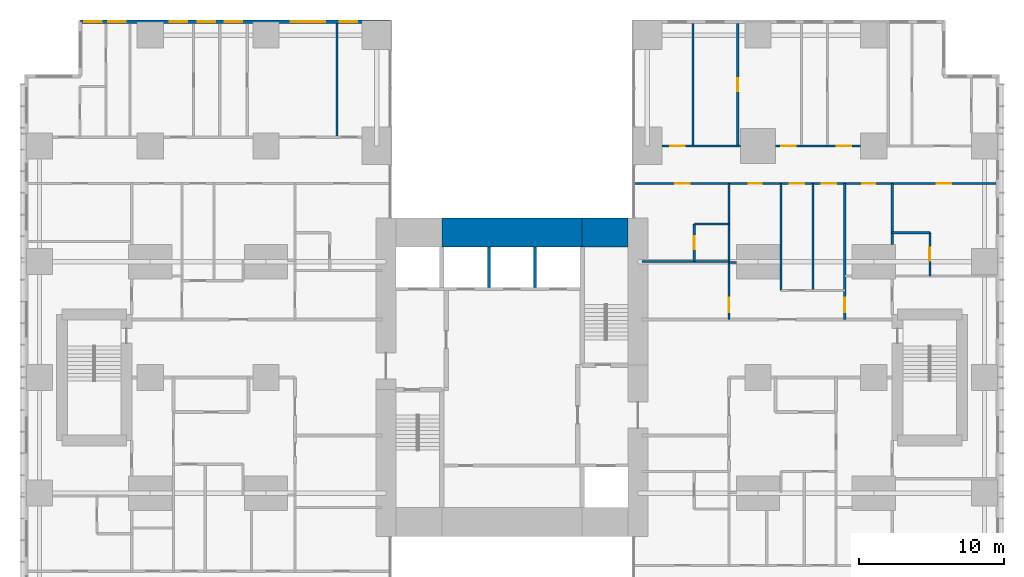
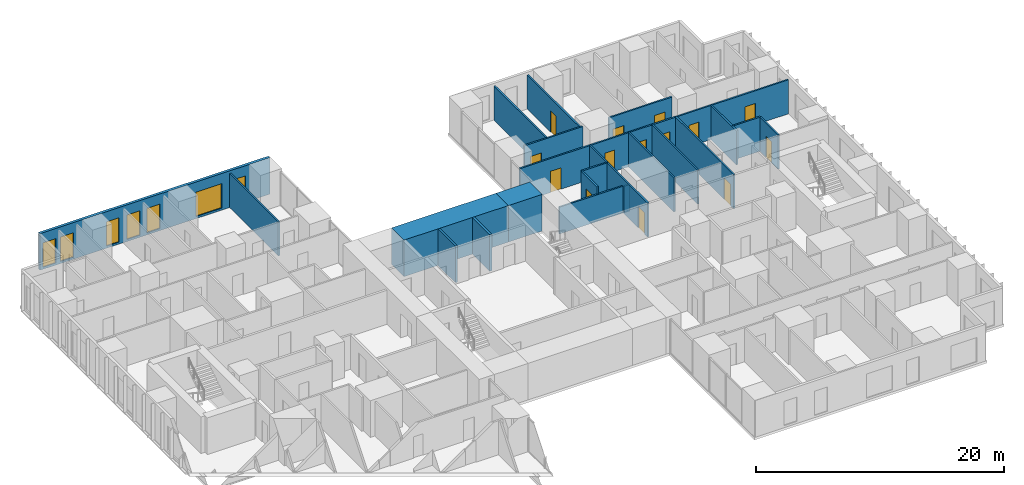
# One storey, part 17 of 20: 22 walls, 14 doors, 7 windows, 21 openings.
"""IFC4 building model written with IfcOpenShell, lengths in metres."""

from ifc_helpers import new_model, si_unit, direction, frame, frame_2d, origin, place, context, subcontext, project, spatial, rectangle, extrude, material, layer, layer_set, type_object, element, fill, save


model = new_model("IFC4")

# Units and contexts
model_context = context("Model", 3, precision=1e-05, world=origin(), true_north=direction((0.0, 1.0)))
body_context = subcontext(model_context, "Body", "Model", "MODEL_VIEW")
ifc_project = project(units=[si_unit("LENGTHUNIT", "METRE"), si_unit("AREAUNIT", "SQUARE_METRE"), si_unit("VOLUMEUNIT", "CUBIC_METRE"), si_unit("PLANEANGLEUNIT", "RADIAN"), si_unit("MASSUNIT", "GRAM", prefix="KILO")], contexts=[model_context])

# Site, building, storey
site_placement = place(None, origin())
site = spatial("IfcSite", under=ifc_project, at=site_placement, CompositionType="ELEMENT")
building_placement = place(site_placement, origin())
building = spatial("IfcBuilding", under=site, at=building_placement, Name="Cleftline Residences", CompositionType="ELEMENT")
storey_placement = place(building_placement, frame((0.0, 0.0, 211.0)))
storey = spatial("IfcBuildingStorey", under=building, at=storey_placement, Name="L55", CompositionType="ELEMENT", Elevation=211.0)

# Walls
ifc_material_1 = material(Name="Concrete B70", Category="concrete")
ifc_layer_1 = layer(ifc_material_1, 2.0)
ifc_layer_set_1 = layer_set([ifc_layer_1], Name="CORE WALL 2000")
wall_type_1 = type_object("IfcWallType", Name="CORE WALL 2000", PredefinedType="SHEAR", material=ifc_layer_set_1)
wall_1_placement = place(storey_placement, frame((28.14990234375, 34.0, 0.0), z_axis=(0.0, 0.0, 1.0), x_axis=(1.0, 0.0, 0.0)))
element("IfcWall", 1, at=wall_1_placement, inside=storey, type_object=wall_type_1, Name="Core wall N2", PredefinedType="SHEAR", context=body_context, shape_type="SweptSolid", body=[
    extrude(rectangle(XDim=9.7001953125, YDim=2.0, at=frame_2d((4.85009765625, 0.0))), origin(), (0.0, 0.0, 1.0), 3.60009765625),
])
wall_2_placement = place(storey_placement, frame((37.85009765625, 34.0, 0.0), z_axis=(0.0, 0.0, 1.0), x_axis=(1.0, 0.0, 0.0)))
element("IfcWall", 2, at=wall_2_placement, inside=storey, type_object=wall_type_1, Name="Core wall N3", PredefinedType="SHEAR", context=body_context, shape_type="SweptSolid", body=[
    extrude(rectangle(XDim=3.14990234375, YDim=2.0, at=frame_2d((1.574951171875, 0.0))), origin(), (0.0, 0.0, 1.0), 3.60009765625),
])

# Wall, openings, windows
ifc_material_2 = material(Name="Rendered reinforced concrete blockwork", Category="masonry")
ifc_layer_2 = layer(ifc_material_2, 0.25)
ifc_layer_set_2 = layer_set([ifc_layer_2], Name="EXTERNAL WALL 250")
wall_type_2 = type_object("IfcWallType", Name="EXTERNAL WALL 250", PredefinedType="SOLIDWALL", material=ifc_layer_set_2)
wall_3_placement = place(storey_placement, frame((24.574951171875, 48.574951171875, 0.0), z_axis=(0.0, 0.0, 1.0), x_axis=(-1.0, 0.0, 0.0)))
wall_3 = element("IfcWall", 3, at=wall_3_placement, inside=storey, type_object=wall_type_2, Name="External wall", PredefinedType="SOLIDWALL", context=body_context, shape_type="SweptSolid", body=[
    extrude(rectangle(XDim=21.39990234375, YDim=0.25, at=frame_2d((10.699951171875, 0.0))), origin(), (0.0, 0.0, 1.0), 3.60009765625),
])
opening_1_placement = place(wall_3_placement, frame((2.27490234375, 0.0, 0.199951171875)))
opening_1 = element("IfcOpeningElement", 4, at=opening_1_placement, cuts=wall_3, Name="Opening W13", PredefinedType="OPENING", context=body_context, shape_type="SweptSolid", body=[
    extrude(rectangle(XDim=1.199951171875, YDim=2.39990234375, at=frame_2d((0.60009765625, 1.199951171875))), frame((0.0, 0.135009765625, 0.0), z_axis=(0.0, -1.0, 0.0), x_axis=(1.0, 0.0, 0.0)), (0.0, 0.0, 1.0), 0.27001953125),
])
opening_2_placement = place(wall_3_placement, frame((4.47509765625, 0.0, 0.199951171875)))
opening_2 = element("IfcOpeningElement", 5, at=opening_2_placement, cuts=wall_3, Name="Opening W9", PredefinedType="OPENING", context=body_context, shape_type="SweptSolid", body=[
    extrude(rectangle(XDim=2.39990234375, YDim=2.39990234375, at=frame_2d((1.199951171875, 1.199951171875))), frame((0.0, 0.135009765625, 0.0), z_axis=(0.0, -1.0, 0.0), x_axis=(1.0, 0.0, 0.0)), (0.0, 0.0, 1.0), 0.27001953125),
])
opening_3_placement = place(wall_3_placement, frame((10.22509765625, 0.0, 0.199951171875)))
opening_3 = element("IfcOpeningElement", 6, at=opening_3_placement, cuts=wall_3, Name="Opening W13", PredefinedType="OPENING", context=body_context, shape_type="SweptSolid", body=[
    extrude(rectangle(XDim=1.199951171875, YDim=2.39990234375, at=frame_2d((0.60009765625, 1.199951171875))), frame((0.0, 0.135009765625, 0.0), z_axis=(0.0, -1.0, 0.0), x_axis=(1.0, 0.0, 0.0)), (0.0, 0.0, 1.0), 0.27001953125),
])
opening_4_placement = place(wall_3_placement, frame((12.074951171875, 0.0, 0.199951171875)))
opening_4 = element("IfcOpeningElement", 7, at=opening_4_placement, cuts=wall_3, Name="Opening W13", PredefinedType="OPENING", context=body_context, shape_type="SweptSolid", body=[
    extrude(rectangle(XDim=1.199951171875, YDim=2.39990234375, at=frame_2d((0.60009765625, 1.199951171875))), frame((0.0, 0.135009765625, 0.0), z_axis=(0.0, -1.0, 0.0), x_axis=(1.0, 0.0, 0.0)), (0.0, 0.0, 1.0), 0.27001953125),
])
opening_5_placement = place(wall_3_placement, frame((14.02490234375, 0.0, 0.199951171875)))
opening_5 = element("IfcOpeningElement", 8, at=opening_5_placement, cuts=wall_3, Name="Opening W13", PredefinedType="OPENING", context=body_context, shape_type="SweptSolid", body=[
    extrude(rectangle(XDim=1.199951171875, YDim=2.39990234375, at=frame_2d((0.60009765625, 1.199951171875))), frame((0.0, 0.135009765625, 0.0), z_axis=(0.0, -1.0, 0.0), x_axis=(1.0, 0.0, 0.0)), (0.0, 0.0, 1.0), 0.27001953125),
])
opening_6_placement = place(wall_3_placement, frame((18.27490234375, 0.0, 0.199951171875)))
opening_6 = element("IfcOpeningElement", 9, at=opening_6_placement, cuts=wall_3, Name="Opening W13", PredefinedType="OPENING", context=body_context, shape_type="SweptSolid", body=[
    extrude(rectangle(XDim=1.199951171875, YDim=2.39990234375, at=frame_2d((0.60009765625, 1.199951171875))), frame((0.0, 0.135009765625, 0.0), z_axis=(0.0, -1.0, 0.0), x_axis=(1.0, 0.0, 0.0)), (0.0, 0.0, 1.0), 0.27001953125),
])
opening_7_placement = place(wall_3_placement, frame((19.925048828125, 0.0, 0.199951171875)))
opening_7 = element("IfcOpeningElement", 10, at=opening_7_placement, cuts=wall_3, Name="Opening W13", PredefinedType="OPENING", context=body_context, shape_type="SweptSolid", body=[
    extrude(rectangle(XDim=1.199951171875, YDim=2.39990234375, at=frame_2d((0.60009765625, 1.199951171875))), frame((0.0, 0.135009765625, 0.0), z_axis=(0.0, -1.0, 0.0), x_axis=(1.0, 0.0, 0.0)), (0.0, 0.0, 1.0), 0.27001953125),
])
ifc_material_3 = material(Name="Aluminium frame, clear double glazing", Category="aluminium")
window_type_1 = type_object("IfcWindowType", Name="WINDOW 1200X2400", PartitioningType="DOUBLE_PANEL_VERTICAL", PredefinedType="WINDOW", material=ifc_material_3)
window_1_placement = place(opening_1_placement, origin())
window_1 = element("IfcWindow", 11, at=window_1_placement, inside=storey, type_object=window_type_1, Name="Window", OverallHeight=2.39990234375, OverallWidth=1.199951171875, PartitioningType="SINGLE_PANEL", PredefinedType="WINDOW", context=body_context, shape_type="SweptSolid", body=[
    extrude(rectangle(XDim=1.199951171875, YDim=2.39990234375, at=frame_2d((0.60009765625, 1.199951171875))), frame((0.0, 0.030029296875, 0.0), z_axis=(0.0, -1.0, 0.0), x_axis=(1.0, 0.0, 0.0)), (0.0, 0.0, 1.0), 0.06005859375),
])
fill(opening_1, window_1)
window_2_placement = place(opening_3_placement, origin())
window_2 = element("IfcWindow", 12, at=window_2_placement, inside=storey, type_object=window_type_1, Name="Window", OverallHeight=2.39990234375, OverallWidth=1.199951171875, PartitioningType="SINGLE_PANEL", PredefinedType="WINDOW", context=body_context, shape_type="SweptSolid", body=[
    extrude(rectangle(XDim=1.199951171875, YDim=2.39990234375, at=frame_2d((0.60009765625, 1.199951171875))), frame((0.0, 0.030029296875, 0.0), z_axis=(0.0, -1.0, 0.0), x_axis=(1.0, 0.0, 0.0)), (0.0, 0.0, 1.0), 0.06005859375),
])
fill(opening_3, window_2)
window_3_placement = place(opening_4_placement, origin())
window_3 = element("IfcWindow", 13, at=window_3_placement, inside=storey, type_object=window_type_1, Name="Window", OverallHeight=2.39990234375, OverallWidth=1.199951171875, PartitioningType="SINGLE_PANEL", PredefinedType="WINDOW", context=body_context, shape_type="SweptSolid", body=[
    extrude(rectangle(XDim=1.199951171875, YDim=2.39990234375, at=frame_2d((0.60009765625, 1.199951171875))), frame((0.0, 0.030029296875, 0.0), z_axis=(0.0, -1.0, 0.0), x_axis=(1.0, 0.0, 0.0)), (0.0, 0.0, 1.0), 0.06005859375),
])
fill(opening_4, window_3)
window_4_placement = place(opening_5_placement, origin())
window_4 = element("IfcWindow", 14, at=window_4_placement, inside=storey, type_object=window_type_1, Name="Window", OverallHeight=2.39990234375, OverallWidth=1.199951171875, PartitioningType="SINGLE_PANEL", PredefinedType="WINDOW", context=body_context, shape_type="SweptSolid", body=[
    extrude(rectangle(XDim=1.199951171875, YDim=2.39990234375, at=frame_2d((0.60009765625, 1.199951171875))), frame((0.0, 0.030029296875, 0.0), z_axis=(0.0, -1.0, 0.0), x_axis=(1.0, 0.0, 0.0)), (0.0, 0.0, 1.0), 0.06005859375),
])
fill(opening_5, window_4)
window_5_placement = place(opening_6_placement, origin())
window_5 = element("IfcWindow", 15, at=window_5_placement, inside=storey, type_object=window_type_1, Name="Window", OverallHeight=2.39990234375, OverallWidth=1.199951171875, PartitioningType="SINGLE_PANEL", PredefinedType="WINDOW", context=body_context, shape_type="SweptSolid", body=[
    extrude(rectangle(XDim=1.199951171875, YDim=2.39990234375, at=frame_2d((0.60009765625, 1.199951171875))), frame((0.0, 0.030029296875, 0.0), z_axis=(0.0, -1.0, 0.0), x_axis=(1.0, 0.0, 0.0)), (0.0, 0.0, 1.0), 0.06005859375),
])
fill(opening_6, window_5)
window_6_placement = place(opening_7_placement, origin())
window_6 = element("IfcWindow", 16, at=window_6_placement, inside=storey, type_object=window_type_1, Name="Window", OverallHeight=2.39990234375, OverallWidth=1.199951171875, PartitioningType="SINGLE_PANEL", PredefinedType="WINDOW", context=body_context, shape_type="SweptSolid", body=[
    extrude(rectangle(XDim=1.199951171875, YDim=2.39990234375, at=frame_2d((0.60009765625, 1.199951171875))), frame((0.0, 0.030029296875, 0.0), z_axis=(0.0, -1.0, 0.0), x_axis=(1.0, 0.0, 0.0)), (0.0, 0.0, 1.0), 0.06005859375),
])
fill(opening_7, window_6)
ifc_material_4 = material(Name="Aluminium frame, clear double glazing", Category="aluminium")
window_type_2 = type_object("IfcWindowType", Name="WINDOW 2400X2400", PartitioningType="DOUBLE_PANEL_VERTICAL", PredefinedType="WINDOW", material=ifc_material_4)
window_7_placement = place(opening_2_placement, origin())
window_7 = element("IfcWindow", 17, at=window_7_placement, inside=storey, type_object=window_type_2, Name="Window", OverallHeight=2.39990234375, OverallWidth=2.39990234375, PartitioningType="SINGLE_PANEL", PredefinedType="WINDOW", context=body_context, shape_type="SweptSolid", body=[
    extrude(rectangle(XDim=2.39990234375, YDim=2.39990234375, at=frame_2d((1.199951171875, 1.199951171875))), frame((0.0, 0.030029296875, 0.0), z_axis=(0.0, -1.0, 0.0), x_axis=(1.0, 0.0, 0.0)), (0.0, 0.0, 1.0), 0.06005859375),
])
fill(opening_2, window_7)

# Walls
ifc_material_5 = material(Name="Gypsum board on steel studs", Category="steel")
ifc_layer_3 = layer(ifc_material_5, 0.14990234375)
ifc_layer_set_3 = layer_set([ifc_layer_3], Name="PARTITION 150")
wall_type_3 = type_object("IfcWallType", Name="PARTITION 150", PredefinedType="PARTITIONING", material=ifc_layer_set_3)
wall_4_placement = place(storey_placement, frame((48.0, 31.949951171875, 0.0), z_axis=(0.0, 0.0, 1.0), x_axis=(1.0, 0.0, 0.0)))
element("IfcWall", 18, at=wall_4_placement, inside=storey, type_object=wall_type_3, Name="Partition", PredefinedType="PARTITIONING", context=body_context, shape_type="SweptSolid", body=[
    extrude(rectangle(XDim=0.5, YDim=0.14990234375, at=frame_2d((0.25, 0.0))), origin(), (0.0, 0.0, 1.0), 2.634033203125),
])
wall_5_placement = place(storey_placement, frame((42.0, 32.0, 0.0), z_axis=(0.0, 0.0, 1.0), x_axis=(1.0, 0.0, 0.0)))
element("IfcWall", 19, at=wall_5_placement, inside=storey, type_object=wall_type_3, Name="Partition", PredefinedType="PARTITIONING", context=body_context, shape_type="SweptSolid", body=[
    extrude(rectangle(XDim=6.0, YDim=0.14990234375, at=frame_2d((3.0, 0.0))), origin(), (0.0, 0.0, 1.0), 2.634033203125),
])
wall_6_placement = place(storey_placement, frame((59.27490234375, 34.0, 0.0), z_axis=(0.0, 0.0, 1.0), x_axis=(1.0, 0.0, 0.0)))
element("IfcWall", 20, at=wall_6_placement, inside=storey, type_object=wall_type_3, Name="Partition", PredefinedType="PARTITIONING", context=body_context, shape_type="SweptSolid", body=[
    extrude(rectangle(XDim=2.60009765625, YDim=0.14990234375, at=frame_2d((1.300048828125, 0.0))), origin(), (0.0, 0.0, 1.0), 3.35009765625),
])
wall_7_placement = place(storey_placement, frame((45.60009765625, 34.60009765625, 0.0), z_axis=(0.0, 0.0, 1.0), x_axis=(1.0, 0.0, 0.0)))
element("IfcWall", 21, at=wall_7_placement, inside=storey, type_object=wall_type_3, Name="Partition", PredefinedType="PARTITIONING", context=body_context, shape_type="SweptSolid", body=[
    extrude(rectangle(XDim=2.39990234375, YDim=0.14990234375, at=frame_2d((1.199951171875, 0.0))), origin(), (0.0, 0.0, 1.0), 3.35009765625),
])

# Wall, openings, doors
wall_8_placement = place(storey_placement, frame((41.43896484375, 37.39990234375, 0.0), z_axis=(0.0, 0.0, 1.0), x_axis=(1.0, 0.0, 0.0)))
wall_8 = element("IfcWall", 22, at=wall_8_placement, inside=storey, type_object=wall_type_3, Name="Partition", PredefinedType="PARTITIONING", context=body_context, shape_type="SweptSolid", body=[
    extrude(rectangle(XDim=25.010986328125, YDim=0.14990234375, at=frame_2d((12.50537109375, 0.0))), origin(), (0.0, 0.0, 1.0), 3.35009765625),
])
opening_8_placement = place(wall_8_placement, frame((10.760986328125, 0.0, 0.0)))
opening_8 = element("IfcOpeningElement", 23, at=opening_8_placement, cuts=wall_8, Name="Opening D2", PredefinedType="OPENING", context=body_context, shape_type="SweptSolid", body=[
    extrude(rectangle(XDim=1.0, YDim=2.10009765625, at=frame_2d((0.5, 1.050048828125))), frame((0.0, 0.0849609375, 0.0), z_axis=(0.0, -1.0, 0.0), x_axis=(1.0, 0.0, 0.0)), (0.0, 0.0, 1.0), 0.169921875),
])
opening_9_placement = place(wall_8_placement, frame((20.923583984375, 0.0, 0.0)))
opening_9 = element("IfcOpeningElement", 24, at=opening_9_placement, cuts=wall_8, Name="Opening D2", PredefinedType="OPENING", context=body_context, shape_type="SweptSolid", body=[
    extrude(rectangle(XDim=1.0, YDim=2.10009765625, at=frame_2d((0.5, 1.050048828125))), frame((0.0, 0.0849609375, 0.0), z_axis=(0.0, -1.0, 0.0), x_axis=(1.0, 0.0, 0.0)), (0.0, 0.0, 1.0), 0.169921875),
])
opening_10_placement = place(wall_8_placement, frame((15.74853515625, 0.0, 0.0)))
opening_10 = element("IfcOpeningElement", 25, at=opening_10_placement, cuts=wall_8, Name="Opening D1", PredefinedType="OPENING", context=body_context, shape_type="SweptSolid", body=[
    extrude(rectangle(XDim=0.89990234375, YDim=2.10009765625, at=frame_2d((0.449951171875, 1.050048828125))), frame((0.0, 0.0849609375, 0.0), z_axis=(0.0, -1.0, 0.0), x_axis=(1.0, 0.0, 0.0)), (0.0, 0.0, 1.0), 0.169921875),
])
opening_11_placement = place(wall_8_placement, frame((12.9609375, 0.0, 0.0)))
opening_11 = element("IfcOpeningElement", 26, at=opening_11_placement, cuts=wall_8, Name="Opening D2", PredefinedType="OPENING", context=body_context, shape_type="SweptSolid", body=[
    extrude(rectangle(XDim=1.0, YDim=2.10009765625, at=frame_2d((0.5, 1.050048828125))), frame((0.0, 0.0849609375, 0.0), z_axis=(0.0, -1.0, 0.0), x_axis=(1.0, 0.0, 0.0)), (0.0, 0.0, 1.0), 0.169921875),
])
opening_12_placement = place(wall_8_placement, frame((7.910888671875, 0.0, 0.0)))
opening_12 = element("IfcOpeningElement", 27, at=opening_12_placement, cuts=wall_8, Name="Opening D1", PredefinedType="OPENING", context=body_context, shape_type="SweptSolid", body=[
    extrude(rectangle(XDim=0.89990234375, YDim=2.10009765625, at=frame_2d((0.449951171875, 1.050048828125))), frame((0.0, 0.0849609375, 0.0), z_axis=(0.0, -1.0, 0.0), x_axis=(1.0, 0.0, 0.0)), (0.0, 0.0, 1.0), 0.169921875),
])
opening_13_placement = place(wall_8_placement, frame((2.8359375, 0.0, 0.0)))
opening_13 = element("IfcOpeningElement", 28, at=opening_13_placement, cuts=wall_8, Name="Opening D2", PredefinedType="OPENING", context=body_context, shape_type="SweptSolid", body=[
    extrude(rectangle(XDim=1.0, YDim=2.10009765625, at=frame_2d((0.5, 1.050048828125))), frame((0.0, 0.0849609375, 0.0), z_axis=(0.0, -1.0, 0.0), x_axis=(1.0, 0.0, 0.0)), (0.0, 0.0, 1.0), 0.169921875),
])
ifc_material_6 = material(Name="Timber veneer on solid core", Category="wood")
door_type_1 = type_object("IfcDoorType", Name="DOOR 1000X2100", OperationType="SINGLE_SWING_LEFT", PredefinedType="DOOR", material=ifc_material_6)
door_1_placement = place(opening_8_placement, origin())
door_1 = element("IfcDoor", 29, at=door_1_placement, inside=storey, type_object=door_type_1, Name="Door to residence hall", OperationType="SINGLE_SWING_RIGHT", OverallHeight=2.10009765625, OverallWidth=1.0, PredefinedType="DOOR", context=body_context, shape_type="SweptSolid", body=[
    extrude(rectangle(XDim=1.0, YDim=2.10009765625, at=frame_2d((0.5, 1.050048828125))), frame((0.0, 0.02490234375, 0.0), z_axis=(0.0, -1.0, 0.0), x_axis=(1.0, 0.0, 0.0)), (0.0, 0.0, 1.0), 0.050048828125),
])
fill(opening_8, door_1)
door_2_placement = place(opening_9_placement, origin())
door_2 = element("IfcDoor", 30, at=door_2_placement, inside=storey, type_object=door_type_1, Name="Door to master bedroom", OperationType="SINGLE_SWING_LEFT", OverallHeight=2.10009765625, OverallWidth=1.0, PredefinedType="DOOR", context=body_context, shape_type="SweptSolid", body=[
    extrude(rectangle(XDim=1.0, YDim=2.10009765625, at=frame_2d((0.5, 1.050048828125))), frame((0.0, 0.02490234375, 0.0), z_axis=(0.0, -1.0, 0.0), x_axis=(1.0, 0.0, 0.0)), (0.0, 0.0, 1.0), 0.050048828125),
])
fill(opening_9, door_2)
door_3_placement = place(opening_11_placement, origin())
door_3 = element("IfcDoor", 31, at=door_3_placement, inside=storey, type_object=door_type_1, Name="Door to media room", OperationType="SINGLE_SWING_LEFT", OverallHeight=2.10009765625, OverallWidth=1.0, PredefinedType="DOOR", context=body_context, shape_type="SweptSolid", body=[
    extrude(rectangle(XDim=1.0, YDim=2.10009765625, at=frame_2d((0.5, 1.050048828125))), frame((0.0, 0.02490234375, 0.0), z_axis=(0.0, -1.0, 0.0), x_axis=(1.0, 0.0, 0.0)), (0.0, 0.0, 1.0), 0.050048828125),
])
fill(opening_11, door_3)
door_4_placement = place(opening_13_placement, origin())
door_4 = element("IfcDoor", 32, at=door_4_placement, inside=storey, type_object=door_type_1, Name="Door to bedroom 5", OperationType="SINGLE_SWING_RIGHT", OverallHeight=2.10009765625, OverallWidth=1.0, PredefinedType="DOOR", context=body_context, shape_type="SweptSolid", body=[
    extrude(rectangle(XDim=1.0, YDim=2.10009765625, at=frame_2d((0.5, 1.050048828125))), frame((0.0, 0.02490234375, 0.0), z_axis=(0.0, -1.0, 0.0), x_axis=(1.0, 0.0, 0.0)), (0.0, 0.0, 1.0), 0.050048828125),
])
fill(opening_13, door_4)
ifc_material_7 = material(Name="Timber veneer on solid core", Category="wood")
door_type_2 = type_object("IfcDoorType", Name="DOOR 900X2100", OperationType="SINGLE_SWING_LEFT", PredefinedType="DOOR", material=ifc_material_7)
door_5_placement = place(opening_10_placement, origin())
door_5 = element("IfcDoor", 33, at=door_5_placement, inside=storey, type_object=door_type_2, Name="Door to bedroom 2 bathroom", OperationType="SINGLE_SWING_LEFT", OverallHeight=2.10009765625, OverallWidth=0.89990234375, PredefinedType="DOOR", context=body_context, shape_type="SweptSolid", body=[
    extrude(rectangle(XDim=0.89990234375, YDim=2.10009765625, at=frame_2d((0.449951171875, 1.050048828125))), frame((0.0, 0.02490234375, 0.0), z_axis=(0.0, -1.0, 0.0), x_axis=(1.0, 0.0, 0.0)), (0.0, 0.0, 1.0), 0.050048828125),
])
fill(opening_10, door_5)
door_6_placement = place(opening_12_placement, origin())
door_6 = element("IfcDoor", 34, at=door_6_placement, inside=storey, type_object=door_type_2, Name="Door to linen store", OperationType="SINGLE_SWING_RIGHT", OverallHeight=2.10009765625, OverallWidth=0.89990234375, PredefinedType="DOOR", context=body_context, shape_type="SweptSolid", body=[
    extrude(rectangle(XDim=0.89990234375, YDim=2.10009765625, at=frame_2d((0.449951171875, 1.050048828125))), frame((0.0, 0.02490234375, 0.0), z_axis=(0.0, -1.0, 0.0), x_axis=(1.0, 0.0, 0.0)), (0.0, 0.0, 1.0), 0.050048828125),
])
fill(opening_12, door_6)

# Wall, opening, door
wall_9_placement = place(storey_placement, frame((43.35009765625, 40.0, 0.0), z_axis=(0.0, 0.0, 1.0), x_axis=(1.0, 0.0, 0.0)))
wall_9 = element("IfcWall", 35, at=wall_9_placement, inside=storey, type_object=wall_type_3, Name="Partition", PredefinedType="PARTITIONING", context=body_context, shape_type="SweptSolid", body=[
    extrude(rectangle(XDim=5.449951171875, YDim=0.14990234375, at=frame_2d((2.72509765625, 0.0))), origin(), (0.0, 0.0, 1.0), 3.35009765625),
])
opening_14_placement = place(wall_9_placement, frame((0.574951171875, 0.0, 0.0)))
opening_14 = element("IfcOpeningElement", 36, at=opening_14_placement, cuts=wall_9, Name="Opening D2", PredefinedType="OPENING", context=body_context, shape_type="SweptSolid", body=[
    extrude(rectangle(XDim=1.0, YDim=2.10009765625, at=frame_2d((0.5, 1.050048828125))), frame((0.0, 0.0849609375, 0.0), z_axis=(0.0, -1.0, 0.0), x_axis=(1.0, 0.0, 0.0)), (0.0, 0.0, 1.0), 0.169921875),
])
door_7_placement = place(opening_14_placement, origin())
door_7 = element("IfcDoor", 37, at=door_7_placement, inside=storey, type_object=door_type_1, Name="Door to family room", OperationType="SINGLE_SWING_RIGHT", OverallHeight=2.10009765625, OverallWidth=1.0, PredefinedType="DOOR", context=body_context, shape_type="SweptSolid", body=[
    extrude(rectangle(XDim=1.0, YDim=2.10009765625, at=frame_2d((0.5, 1.050048828125))), frame((0.0, 0.02490234375, 0.0), z_axis=(0.0, -1.0, 0.0), x_axis=(1.0, 0.0, 0.0)), (0.0, 0.0, 1.0), 0.050048828125),
])
fill(opening_14, door_7)

# Wall, openings, doors
wall_10_placement = place(storey_placement, frame((51.199951171875, 40.0, 0.0), z_axis=(0.0, 0.0, 1.0), x_axis=(1.0, 0.0, 0.0)))
wall_10 = element("IfcWall", 38, at=wall_10_placement, inside=storey, type_object=wall_type_3, Name="Partition", PredefinedType="PARTITIONING", context=body_context, shape_type="SweptSolid", body=[
    extrude(rectangle(XDim=5.900146484375, YDim=0.14990234375, at=frame_2d((2.9501953125, 0.0))), origin(), (0.0, 0.0, 1.0), 3.35009765625),
])
opening_15_placement = place(wall_10_placement, frame((4.25, 0.0, 0.0)))
opening_15 = element("IfcOpeningElement", 39, at=opening_15_placement, cuts=wall_10, Name="Opening D2", PredefinedType="OPENING", context=body_context, shape_type="SweptSolid", body=[
    extrude(rectangle(XDim=1.0, YDim=2.10009765625, at=frame_2d((0.5, 1.050048828125))), frame((0.0, 0.0849609375, 0.0), z_axis=(0.0, -1.0, 0.0), x_axis=(1.0, 0.0, 0.0)), (0.0, 0.0, 1.0), 0.169921875),
])
opening_16_placement = place(wall_10_placement, frame((0.39990234375, 0.0, 0.0)))
opening_16 = element("IfcOpeningElement", 40, at=opening_16_placement, cuts=wall_10, Name="Opening D2", PredefinedType="OPENING", context=body_context, shape_type="SweptSolid", body=[
    extrude(rectangle(XDim=1.0, YDim=2.10009765625, at=frame_2d((0.5, 1.050048828125))), frame((0.0, 0.0849609375, 0.0), z_axis=(0.0, -1.0, 0.0), x_axis=(1.0, 0.0, 0.0)), (0.0, 0.0, 1.0), 0.169921875),
])
door_8_placement = place(opening_15_placement, origin())
door_8 = element("IfcDoor", 41, at=door_8_placement, inside=storey, type_object=door_type_1, Name="Door to bedroom 3", OperationType="SINGLE_SWING_LEFT", OverallHeight=2.10009765625, OverallWidth=1.0, PredefinedType="DOOR", context=body_context, shape_type="SweptSolid", body=[
    extrude(rectangle(XDim=1.0, YDim=2.10009765625, at=frame_2d((0.5, 1.050048828125))), frame((0.0, 0.02490234375, 0.0), z_axis=(0.0, -1.0, 0.0), x_axis=(1.0, 0.0, 0.0)), (0.0, 0.0, 1.0), 0.050048828125),
])
fill(opening_15, door_8)
door_9_placement = place(opening_16_placement, origin())
door_9 = element("IfcDoor", 42, at=door_9_placement, inside=storey, type_object=door_type_1, Name="Door to bedroom 4", OperationType="SINGLE_SWING_RIGHT", OverallHeight=2.10009765625, OverallWidth=1.0, PredefinedType="DOOR", context=body_context, shape_type="SweptSolid", body=[
    extrude(rectangle(XDim=1.0, YDim=2.10009765625, at=frame_2d((0.5, 1.050048828125))), frame((0.0, 0.02490234375, 0.0), z_axis=(0.0, -1.0, 0.0), x_axis=(1.0, 0.0, 0.0)), (0.0, 0.0, 1.0), 0.050048828125),
])
fill(opening_16, door_9)

# Walls
wall_11_placement = place(storey_placement, frame((20.89990234375, 40.60009765625, 0.0), z_axis=(0.0, 0.0, 1.0), x_axis=(0.0, 1.0, 0.0)))
element("IfcWall", 43, at=wall_11_placement, inside=storey, type_object=wall_type_3, Name="Partition", PredefinedType="PARTITIONING", context=body_context, shape_type="SweptSolid", body=[
    extrude(rectangle(XDim=7.849853515625, YDim=0.14990234375, at=frame_2d((3.9248046875, 0.0))), origin(), (0.0, 0.0, 1.0), 3.35009765625),
])
wall_12_placement = place(storey_placement, frame((45.5, 40.0, 0.0), z_axis=(0.0, 0.0, 1.0), x_axis=(0.0, 1.0, 0.0)))
element("IfcWall", 44, at=wall_12_placement, inside=storey, type_object=wall_type_3, Name="Partition", PredefinedType="PARTITIONING", context=body_context, shape_type="SweptSolid", body=[
    extrude(rectangle(XDim=8.449951171875, YDim=0.14990234375, at=frame_2d((4.22509765625, 0.0))), origin(), (0.0, 0.0, 1.0), 3.35009765625),
])

# Wall, opening, door
wall_13_placement = place(storey_placement, frame((45.60009765625, 32.0, 0.0), z_axis=(0.0, 0.0, 1.0), x_axis=(0.0, 1.0, 0.0)))
wall_13 = element("IfcWall", 45, at=wall_13_placement, inside=storey, type_object=wall_type_3, Name="Partition", PredefinedType="PARTITIONING", context=body_context, shape_type="SweptSolid", body=[
    extrude(rectangle(XDim=2.60009765625, YDim=0.14990234375, at=frame_2d((1.300048828125, 0.0))), origin(), (0.0, 0.0, 1.0), 3.35009765625),
])
opening_17_placement = place(wall_13_placement, frame((0.85009765625, 0.0, 0.0)))
opening_17 = element("IfcOpeningElement", 46, at=opening_17_placement, cuts=wall_13, Name="Opening D1", PredefinedType="OPENING", context=body_context, shape_type="SweptSolid", body=[
    extrude(rectangle(XDim=0.89990234375, YDim=2.10009765625, at=frame_2d((0.449951171875, 1.050048828125))), frame((0.0, 0.0849609375, 0.0), z_axis=(0.0, -1.0, 0.0), x_axis=(1.0, 0.0, 0.0)), (0.0, 0.0, 1.0), 0.169921875),
])
door_10_placement = place(opening_17_placement, origin())
door_10 = element("IfcDoor", 47, at=door_10_placement, inside=storey, type_object=door_type_2, Name="Door to en-suite bathroom 5", OperationType="SINGLE_SWING_LEFT", OverallHeight=2.10009765625, OverallWidth=0.89990234375, PredefinedType="DOOR", context=body_context, shape_type="SweptSolid", body=[
    extrude(rectangle(XDim=0.89990234375, YDim=2.10009765625, at=frame_2d((0.449951171875, 1.050048828125))), frame((0.0, 0.02490234375, 0.0), z_axis=(0.0, -1.0, 0.0), x_axis=(1.0, 0.0, 0.0)), (0.0, 0.0, 1.0), 0.050048828125),
])
fill(opening_17, door_10)

wall_14_placement = place(storey_placement, frame((48.0, 28.0, 0.0), z_axis=(0.0, 0.0, 1.0), x_axis=(0.0, 1.0, 0.0)))
wall_14 = element("IfcWall", 48, at=wall_14_placement, inside=storey, type_object=wall_type_3, Name="Partition", PredefinedType="PARTITIONING", context=body_context, shape_type="SweptSolid", body=[
    extrude(rectangle(XDim=9.39990234375, YDim=0.14990234375, at=frame_2d((4.699951171875, 0.0))), origin(), (0.0, 0.0, 1.0), 3.35009765625),
])
opening_18_placement = place(wall_14_placement, frame((0.5, 0.0, 0.0)))
opening_18 = element("IfcOpeningElement", 49, at=opening_18_placement, cuts=wall_14, Name="Opening D2", PredefinedType="OPENING", context=body_context, shape_type="SweptSolid", body=[
    extrude(rectangle(XDim=1.0, YDim=2.10009765625, at=frame_2d((0.5, 1.050048828125))), frame((0.0, 0.0849609375, 0.0), z_axis=(0.0, -1.0, 0.0), x_axis=(1.0, 0.0, 0.0)), (0.0, 0.0, 1.0), 0.169921875),
])
door_11_placement = place(opening_18_placement, origin())
door_11 = element("IfcDoor", 50, at=door_11_placement, inside=storey, type_object=door_type_1, Name="Door to morning kitchen", OperationType="SINGLE_SWING_RIGHT", OverallHeight=2.10009765625, OverallWidth=1.0, PredefinedType="DOOR", context=body_context, shape_type="SweptSolid", body=[
    extrude(rectangle(XDim=1.0, YDim=2.10009765625, at=frame_2d((0.5, 1.050048828125))), frame((0.0, 0.02490234375, 0.0), z_axis=(0.0, -1.0, 0.0), x_axis=(1.0, 0.0, 0.0)), (0.0, 0.0, 1.0), 0.050048828125),
])
fill(opening_18, door_11)

wall_15_placement = place(storey_placement, frame((48.60009765625, 40.0, 0.0), z_axis=(0.0, 0.0, 1.0), x_axis=(0.0, 1.0, 0.0)))
wall_15 = element("IfcWall", 51, at=wall_15_placement, inside=storey, type_object=wall_type_3, Name="Partition", PredefinedType="PARTITIONING", context=body_context, shape_type="SweptSolid", body=[
    extrude(rectangle(XDim=8.449951171875, YDim=0.14990234375, at=frame_2d((4.22509765625, 0.0))), origin(), (0.0, 0.0, 1.0), 3.35009765625),
])
opening_19_placement = place(wall_15_placement, frame((3.77490234375, 0.0, 0.0)))
opening_19 = element("IfcOpeningElement", 52, at=opening_19_placement, cuts=wall_15, Name="Opening D1", PredefinedType="OPENING", context=body_context, shape_type="SweptSolid", body=[
    extrude(rectangle(XDim=0.89990234375, YDim=2.10009765625, at=frame_2d((0.449951171875, 1.050048828125))), frame((0.0, 0.0849609375, 0.0), z_axis=(0.0, -1.0, 0.0), x_axis=(1.0, 0.0, 0.0)), (0.0, 0.0, 1.0), 0.169921875),
])
door_12_placement = place(opening_19_placement, origin())
door_12 = element("IfcDoor", 53, at=door_12_placement, inside=storey, type_object=door_type_2, Name="Door to en-suite bathroom 4", OperationType="SINGLE_SWING_LEFT", OverallHeight=2.10009765625, OverallWidth=0.89990234375, PredefinedType="DOOR", context=body_context, shape_type="SweptSolid", body=[
    extrude(rectangle(XDim=0.89990234375, YDim=2.10009765625, at=frame_2d((0.449951171875, 1.050048828125))), frame((0.0, 0.02490234375, 0.0), z_axis=(0.0, -1.0, 0.0), x_axis=(1.0, 0.0, 0.0)), (0.0, 0.0, 1.0), 0.050048828125),
])
fill(opening_19, door_12)

# Walls
for number, where, z_axis, x_axis, name in (
    (54, (51.60009765625, 30.0, 0.0), (0.0, 0.0, 1.0), (0.0, 1.0, 0.0), "Partition"),
    (55, (53.800048828125, 30.0, 0.0), (0.0, 0.0, 1.0), (0.0, 1.0, 0.0), "Partition"),
):
    element("IfcWall", number, at=place(storey_placement, frame(where, z_axis=z_axis, x_axis=x_axis)), inside=storey, type_object=wall_type_3, Name=name, PredefinedType="PARTITIONING", context=body_context, shape_type="SweptSolid", body=[
        extrude(rectangle(XDim=7.39990234375, YDim=0.14990234375, at=frame_2d((3.699951171875, 0.0))), origin(), (0.0, 0.0, 1.0), 3.35009765625),
    ])

# Wall, opening, door
wall_16_placement = place(storey_placement, frame((56.0, 28.0, 0.0), z_axis=(0.0, 0.0, 1.0), x_axis=(0.0, 1.0, 0.0)))
wall_16 = element("IfcWall", 56, at=wall_16_placement, inside=storey, type_object=wall_type_3, Name="Partition", PredefinedType="PARTITIONING", context=body_context, shape_type="SweptSolid", body=[
    extrude(rectangle(XDim=9.39990234375, YDim=0.14990234375, at=frame_2d((4.699951171875, 0.0))), origin(), (0.0, 0.0, 1.0), 3.35009765625),
])
opening_20_placement = place(wall_16_placement, frame((0.5, 0.0, 0.0)))
opening_20 = element("IfcOpeningElement", 57, at=opening_20_placement, cuts=wall_16, Name="Opening D2F30", PredefinedType="OPENING", context=body_context, shape_type="SweptSolid", body=[
    extrude(rectangle(XDim=1.0, YDim=2.10009765625, at=frame_2d((0.5, 1.050048828125))), frame((0.0, 0.0849609375, 0.0), z_axis=(0.0, -1.0, 0.0), x_axis=(1.0, 0.0, 0.0)), (0.0, 0.0, 1.0), 0.169921875),
])
ifc_material_8 = material(Name="Timber veneer on solid core", Category="wood")
door_type_3 = type_object("IfcDoorType", Name="DOOR 1000X2100 EI 30", OperationType="SINGLE_SWING_LEFT", PredefinedType="DOOR", material=ifc_material_8)
door_13_placement = place(opening_20_placement, origin())
door_13 = element("IfcDoor", 58, at=door_13_placement, inside=storey, type_object=door_type_3, Name="Door to residence lobby (service)", OperationType="SINGLE_SWING_RIGHT", OverallHeight=2.10009765625, OverallWidth=1.0, PredefinedType="DOOR", context=body_context, shape_type="SweptSolid", body=[
    extrude(rectangle(XDim=1.0, YDim=2.10009765625, at=frame_2d((0.5, 1.050048828125))), frame((0.0, 0.02490234375, 0.0), z_axis=(0.0, -1.0, 0.0), x_axis=(1.0, 0.0, 0.0)), (0.0, 0.0, 1.0), 0.050048828125),
])
fill(opening_20, door_13)

# Wall
wall_17_placement = place(storey_placement, frame((59.27490234375, 33.199951171875, 0.0), z_axis=(0.0, 0.0, 1.0), x_axis=(0.0, 1.0, 0.0)))
element("IfcWall", 59, at=wall_17_placement, inside=storey, type_object=wall_type_3, Name="Partition", PredefinedType="PARTITIONING", context=body_context, shape_type="SweptSolid", body=[
    extrude(rectangle(XDim=4.199951171875, YDim=0.14990234375, at=frame_2d((2.10009765625, 0.0))), origin(), (0.0, 0.0, 1.0), 3.35009765625),
])

# Wall, opening, door
wall_18_placement = place(storey_placement, frame((61.875, 31.0, 0.0), z_axis=(0.0, 0.0, 1.0), x_axis=(0.0, 1.0, 0.0)))
wall_18 = element("IfcWall", 60, at=wall_18_placement, inside=storey, type_object=wall_type_3, Name="Partition", PredefinedType="PARTITIONING", context=body_context, shape_type="SweptSolid", body=[
    extrude(rectangle(XDim=3.0, YDim=0.14990234375, at=frame_2d((1.5, 0.0))), origin(), (0.0, 0.0, 1.0), 3.35009765625),
])
opening_21_placement = place(wall_18_placement, frame((1.050048828125, 0.0, 0.0)))
opening_21 = element("IfcOpeningElement", 61, at=opening_21_placement, cuts=wall_18, Name="Opening D1", PredefinedType="OPENING", context=body_context, shape_type="SweptSolid", body=[
    extrude(rectangle(XDim=0.89990234375, YDim=2.10009765625, at=frame_2d((0.449951171875, 1.050048828125))), frame((0.0, 0.0849609375, 0.0), z_axis=(0.0, -1.0, 0.0), x_axis=(1.0, 0.0, 0.0)), (0.0, 0.0, 1.0), 0.169921875),
])
door_14_placement = place(opening_21_placement, origin())
door_14 = element("IfcDoor", 62, at=door_14_placement, inside=storey, type_object=door_type_2, Name="Door to master bathroom", OperationType="SINGLE_SWING_LEFT", OverallHeight=2.10009765625, OverallWidth=0.89990234375, PredefinedType="DOOR", context=body_context, shape_type="SweptSolid", body=[
    extrude(rectangle(XDim=0.89990234375, YDim=2.10009765625, at=frame_2d((0.449951171875, 1.050048828125))), frame((0.0, 0.02490234375, 0.0), z_axis=(0.0, -1.0, 0.0), x_axis=(1.0, 0.0, 0.0)), (0.0, 0.0, 1.0), 0.050048828125),
])
fill(opening_21, door_14)

# Walls
ifc_material_9 = material(Name="Concrete blockwork, fire rated", Category="masonry")
ifc_layer_4 = layer(ifc_material_9, 0.199951171875)
ifc_layer_set_4 = layer_set([ifc_layer_4], Name="SHAFT WALL 200")
wall_type_4 = type_object("IfcWallType", Name="SHAFT WALL 200", PredefinedType="PARTITIONING", material=ifc_layer_set_4)
for number, where, z_axis, x_axis, name in (
    (63, (31.39990234375, 30.199951171875, 0.0), (0.0, 0.0, 1.0), (0.0, 1.0, 0.0), "Lift shaft wall"),
    (64, (34.60009765625, 30.199951171875, 0.0), (0.0, 0.0, 1.0), (0.0, 1.0, 0.0), "Lift shaft wall"),
):
    element("IfcWall", number, at=place(storey_placement, frame(where, z_axis=z_axis, x_axis=x_axis)), inside=storey, type_object=wall_type_4, Name=name, PredefinedType="PARTITIONING", context=body_context, shape_type="SweptSolid", body=[
        extrude(rectangle(XDim=2.800048828125, YDim=0.199951171875, at=frame_2d((1.39990234375, 0.0))), origin(), (0.0, 0.0, 1.0), 3.60009765625),
    ])

save(model, "model.ifc")
